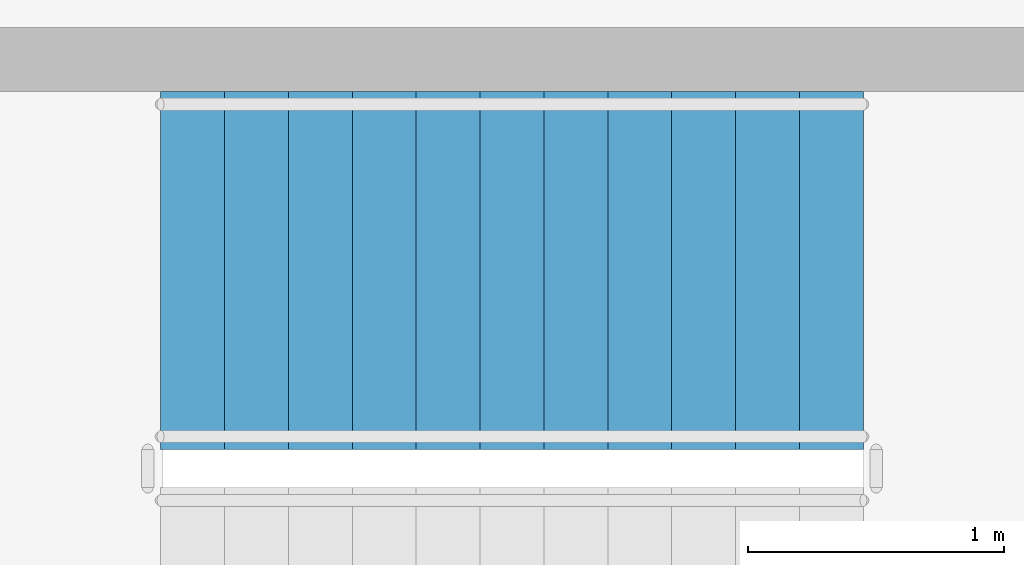
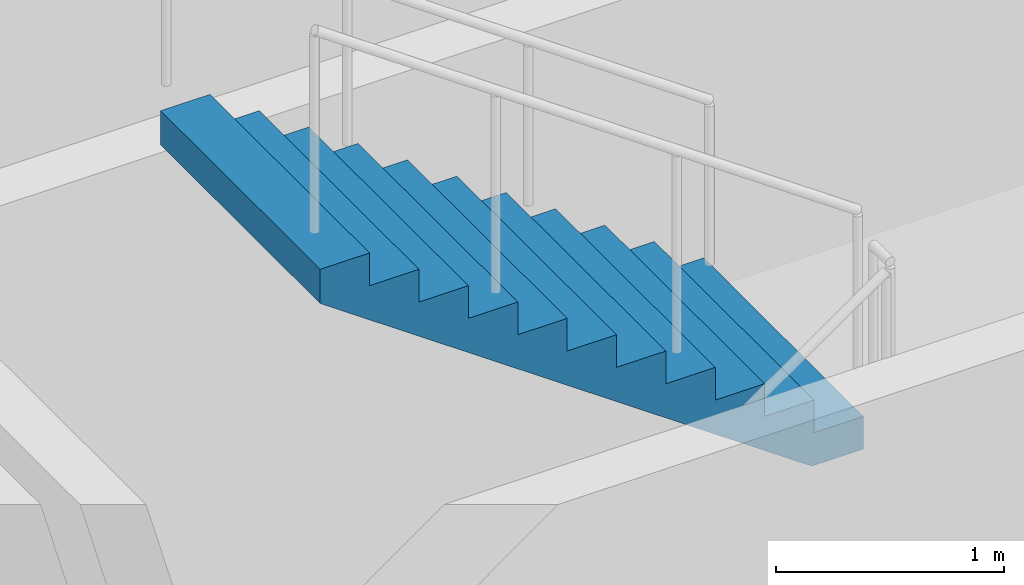
# One storey, part 10 of 14: 1 stair flight, 1 element without a shape of its own.
"""IFC4 building model written with IfcOpenShell, lengths in metres."""

import ifcopenshell
import ifcopenshell.guid

model = None  # the IFC model being written
_history = None  # IfcOwnerHistory: only IFC2X3 demands one
_inside = {}  # id of a spatial element -> (the spatial element, [elements in it])
_under = {}  # id of a project, library or spatial element -> (it, [spatial elements below it])
_declared = {}  # id of a project -> (the project, [libraries it declares])
_typed = {}  # id of a type object -> (the type object, [elements of that type])
_made_of = {}  # id of a material, layer set ... -> (it, [elements and type objects made of it])


def new_model(schema):
    """Start an empty IFC model of exactly this schema.

    Asked for "IFC4X3", IfcOpenShell would pick the latest addendum, in which some entities
    have other attributes; the version numbers below select the first issue.
    IFC2X3 requires an IfcOwnerHistory on every rooted entity: one is made here for all.
    """
    global model, _history
    if schema == "IFC4X3":
        model = ifcopenshell.file(schema_version=(4, 3, 0, 0))
    else:
        model = ifcopenshell.file(schema=schema)
    _inside.clear()
    _under.clear()
    _declared.clear()
    _typed.clear()
    _made_of.clear()
    _history = None
    if model.schema == "IFC2X3":
        org = make("IfcOrganization", Name="unknown")
        user = make(
            "IfcPersonAndOrganization",
            ThePerson=make("IfcPerson", FamilyName="unknown"),
            TheOrganization=org,
        )
        app = make(
            "IfcApplication",
            ApplicationDeveloper=org,
            Version="unknown",
            ApplicationFullName="unknown",
            ApplicationIdentifier="unknown",
        )
        _history = make(
            "IfcOwnerHistory",
            OwningUser=user,
            OwningApplication=app,
            ChangeAction="ADDED",
            CreationDate=0,
        )
    return model


def make(cls, **values):
    """One entity of the class cls with the attributes given. An attribute that is None is left unset."""
    return model.create_entity(
        cls, **{name: value for name, value in values.items() if value is not None}
    )


def rooted(cls, **values):
    """An entity with a GlobalId (a new one), such as an element, a storey or a relation."""
    return make(cls, GlobalId=ifcopenshell.guid.new(), OwnerHistory=_history, **values)


def si_unit(unit_type, name, prefix=None):
    """IfcSIUnit, for example si_unit("LENGTHUNIT", "METRE", prefix="MILLI")."""
    return make("IfcSIUnit", UnitType=unit_type, Prefix=prefix, Name=name)


def assignment(units):
    """IfcUnitAssignment: the units of a project."""
    return None if units is None else make("IfcUnitAssignment", Units=units)


def point(xyz):
    """IfcCartesianPoint."""
    return None if xyz is None else make("IfcCartesianPoint", Coordinates=xyz)


def direction(xyz):
    """IfcDirection."""
    return None if xyz is None else make("IfcDirection", DirectionRatios=xyz)


def frame(location, z_axis=None, x_axis=None):
    """IfcAxis2Placement3D, a coordinate frame: its origin and axes. An axis left out is left unset."""
    return make(
        "IfcAxis2Placement3D",
        Location=point(location),
        Axis=direction(z_axis),
        RefDirection=direction(x_axis),
    )


def origin():
    """The frame at (0, 0, 0) with its axes left unset."""
    return frame((0.0, 0.0, 0.0))


def place(relative_to, where):
    """IfcLocalPlacement: puts the frame where relative to a parent placement (None: the world)."""
    return make(
        "IfcLocalPlacement", PlacementRelTo=relative_to, RelativePlacement=where
    )


def context(
    kind, dimensions, precision=None, world=None, true_north=None, identifier=None
):
    """IfcGeometricRepresentationContext, for example the 3D "Model" context."""
    return make(
        "IfcGeometricRepresentationContext",
        ContextIdentifier=identifier,
        ContextType=kind,
        CoordinateSpaceDimension=dimensions,
        Precision=precision,
        WorldCoordinateSystem=world,
        TrueNorth=true_north,
    )


def subcontext(parent, identifier, kind, view, scale=None):
    """IfcGeometricRepresentationSubContext, for example "Body" below "Model"."""
    return make(
        "IfcGeometricRepresentationSubContext",
        ContextIdentifier=identifier,
        ContextType=kind,
        ParentContext=parent,
        TargetScale=scale,
        TargetView=view,
    )


def project(units=None, contexts=None):
    """IfcProject with its units and contexts."""
    return rooted(
        "IfcProject",
        Name="project",
        RepresentationContexts=contexts,
        UnitsInContext=assignment(units),
    )


def spatial(cls, under=None, at=None, **own):
    """A site, building, storey or space (cls), placed at a placement, below another one or the project."""
    s = rooted(cls, ObjectPlacement=at, **own)
    if under is not None:
        _under.setdefault(under.id(), (under, []))[1].append(s)
    return s


def polyline(points):
    """IfcPolyline through the points."""
    return make("IfcPolyline", Points=[point(p) for p in points])


def outline(outer, holes=None, kind="AREA"):
    """IfcArbitraryClosedProfileDef: a profile drawn as a closed curve; with holes, ...WithVoids."""
    if holes is None:
        return make("IfcArbitraryClosedProfileDef", ProfileType=kind, OuterCurve=outer)
    return make(
        "IfcArbitraryProfileDefWithVoids",
        ProfileType=kind,
        OuterCurve=outer,
        InnerCurves=holes,
    )


def extrude(swept, where, along, depth):
    """IfcExtrudedAreaSolid: the profile swept, set in the frame where, extruded along a direction by depth."""
    return make(
        "IfcExtrudedAreaSolid",
        SweptArea=swept,
        Position=where,
        ExtrudedDirection=direction(along),
        Depth=depth,
    )


def shape(context_of_items, identifier, shape_type, items):
    """IfcShapeRepresentation: the items that make up one representation, for example the "Body"."""
    return make(
        "IfcShapeRepresentation",
        ContextOfItems=context_of_items,
        RepresentationIdentifier=identifier,
        RepresentationType=shape_type,
        Items=items,
    )


def source(mapping_origin, context_of_items, identifier, shape_type, items):
    """IfcRepresentationMap: a shape defined once, which mapped items show again and again."""
    return make(
        "IfcRepresentationMap",
        MappingOrigin=mapping_origin,
        MappedRepresentation=shape(context_of_items, identifier, shape_type, items),
    )


def transform(
    local_origin,
    x_axis=None,
    y_axis=None,
    z_axis=None,
    scale=None,
    scale2=None,
    scale3=None,
    uniform=True,
):
    """IfcCartesianTransformationOperator3D, or its non-uniform kind. x_axis, y_axis, z_axis: its Axis1, 2, 3."""
    if uniform:
        return make(
            "IfcCartesianTransformationOperator3D",
            Axis1=direction(x_axis),
            Axis2=direction(y_axis),
            LocalOrigin=point(local_origin),
            Scale=scale,
            Axis3=direction(z_axis),
        )
    return make(
        "IfcCartesianTransformationOperator3DnonUniform",
        Axis1=direction(x_axis),
        Axis2=direction(y_axis),
        LocalOrigin=point(local_origin),
        Scale=scale,
        Axis3=direction(z_axis),
        Scale2=scale2,
        Scale3=scale3,
    )


def mapped(mapping_source, mapping_target):
    """IfcMappedItem: shows the shape of a source again, moved by a transform."""
    return make(
        "IfcMappedItem", MappingSource=mapping_source, MappingTarget=mapping_target
    )


def material(Name=None, Category=None):
    """IfcMaterial."""
    return make("IfcMaterial", Name=Name, Category=Category)


def made_of(thing, what):
    """Note that an element or type object is made of a material, layer set ...; save() writes the relation."""
    if what is not None:
        _made_of.setdefault(what.id(), (what, []))[1].append(thing)
    return thing


def type_object(cls, material=None, **own):
    """A type object (cls), such as IfcWallType, which elements share."""
    return made_of(rooted(cls, **own), material)


def element(
    cls,
    number,
    at=None,
    inside=None,
    cuts=None,
    type_object=None,
    material=None,
    context=None,
    identifier="Body",
    shape_type=None,
    held_by="IfcProductDefinitionShape",
    body=None,
    shapes=None,
    **own,
):
    """One element of the class cls, such as IfcWall. Its Tag is "e" and its number.

    at: its placement. inside: the storey or other place that contains it. cuts: it is an
    opening in that element (IfcRelVoidsElement). A single representation is given by context,
    identifier, shape_type and body (its items); several are given by shapes. held_by: the class
    of the entity that holds the representations. save() writes the other relations.
    """
    e = rooted(cls, Tag="e%d" % number, ObjectPlacement=at, **own)
    if body is not None:
        shapes = [shape(context, identifier, shape_type, body)]
    if shapes is not None:
        e.Representation = make(held_by, Representations=shapes)
    if inside is not None:
        _inside.setdefault(inside.id(), (inside, []))[1].append(e)
    if cuts is not None:
        rooted(
            "IfcRelVoidsElement", RelatingBuildingElement=cuts, RelatedOpeningElement=e
        )
    if type_object is not None:
        _typed.setdefault(type_object.id(), (type_object, []))[1].append(e)
    return made_of(e, material)


def aggregate(whole, parts):
    """IfcRelAggregates: a whole, such as a stair, and the parts it consists of."""
    return rooted("IfcRelAggregates", RelatingObject=whole, RelatedObjects=parts)


def save(model, path):
    """Write the relations noted so far, then the file.

    IfcRelAggregates (storeys below a building ...), IfcRelContainedInSpatialStructure (elements
    in a storey), IfcRelDefinesByType, IfcRelAssociatesMaterial and IfcRelDeclares: one each for
    every whole, place, type object, material and project.
    """
    for whole, parts in _under.values():
        aggregate(whole, parts)
    for where, things in _inside.values():
        rooted(
            "IfcRelContainedInSpatialStructure",
            RelatedElements=things,
            RelatingStructure=where,
        )
    for kind, things in _typed.values():
        rooted("IfcRelDefinesByType", RelatedObjects=things, RelatingType=kind)
    for what, things in _made_of.values():
        rooted("IfcRelAssociatesMaterial", RelatedObjects=things, RelatingMaterial=what)
    for by, libraries in _declared.values():
        rooted("IfcRelDeclares", RelatingContext=by, RelatedDefinitions=libraries)
    model.write(path)


model = new_model("IFC4")

# Units and contexts
model_context = context("Model", 3, precision=1e-05, world=origin(), true_north=direction((0.0, 1.0)))
body_context = subcontext(model_context, "Body", "Model", "MODEL_VIEW")
ifc_project = project(units=[si_unit("LENGTHUNIT", "METRE"), si_unit("AREAUNIT", "SQUARE_METRE"), si_unit("VOLUMEUNIT", "CUBIC_METRE"), si_unit("PLANEANGLEUNIT", "RADIAN"), si_unit("MASSUNIT", "GRAM", prefix="KILO")], contexts=[model_context])

# Site, building, storey
site_placement = place(None, origin())
site = spatial("IfcSite", under=ifc_project, at=site_placement, CompositionType="ELEMENT")
building_placement = place(site_placement, origin())
building = spatial("IfcBuilding", under=site, at=building_placement, Name="Aurelian Terraces", CompositionType="ELEMENT")
storey_placement = place(building_placement, frame((0.0, 0.0, 86.7)))
storey = spatial("IfcBuildingStorey", under=building, at=storey_placement, Name="L18", CompositionType="ELEMENT", Elevation=86.7)

# Stair, stair flight
ifc_material = material(Name="Concrete fc' 40 MPa", Category="concrete")
stair_type = type_object("IfcStairType", Name="Stair 1400", PredefinedType="HALF_TURN_STAIR", material=ifc_material)
stair_placement = place(storey_placement, origin())
stair = element("IfcStair", 1, at=stair_placement, inside=storey, type_object=stair_type, Name="L18 S3", PredefinedType="HALF_TURN_STAIR")
stair_flight_type = type_object("IfcStairFlightType", Name="Stair flight 1400", PredefinedType="STRAIGHT", material=ifc_material)
shared_shape = source(origin(), body_context, "Body", "SweptSolid", [
    extrude(outline(polyline([(0.0, 0.0), (0.0, 0.175), (0.25, 0.175), (0.25, 0.35), (0.5, 0.35), (0.5, 0.525), (0.75, 0.525), (0.75, 0.7), (1.0, 0.7), (1.0, 0.875), (1.25, 0.875), (1.25, 1.05), (1.5, 1.05), (1.5, 1.225), (1.75, 1.225), (1.75, 1.4), (2.0, 1.4), (2.0, 1.575), (2.25, 1.575), (2.25, 1.75), (2.5, 1.75), (2.5, 1.925), (2.75, 1.925), (2.75, 2.1), (2.75, 1.7419), (0.2616, 0.0), (0.0, 0.0)])), frame((0.0, 0.7, 0.0), z_axis=(0.0, -1.0, 0.0), x_axis=(1.0, 0.0, 0.0)), (0.0, 0.0, 1.0), 1.4),
])
stair_flight_placement = place(storey_placement, frame((4.85, 42.9, 2.100000019999994), z_axis=(0.0, 0.0, 1.0), x_axis=(-1.0, 0.0, 0.0)))
stair_flight = element("IfcStairFlight", 2, at=stair_flight_placement, type_object=stair_flight_type, Name="S3 flight 2", NumberOfRisers=12, NumberOfTreads=11, PredefinedType="STRAIGHT", RiserHeight=0.175, TreadLength=0.25, context=body_context, shape_type="MappedRepresentation", body=[
    mapped(shared_shape, transform((0.0, 0.0, 0.0), scale=1.0)),
])
aggregate(stair, [stair_flight])

save(model, "model.ifc")
